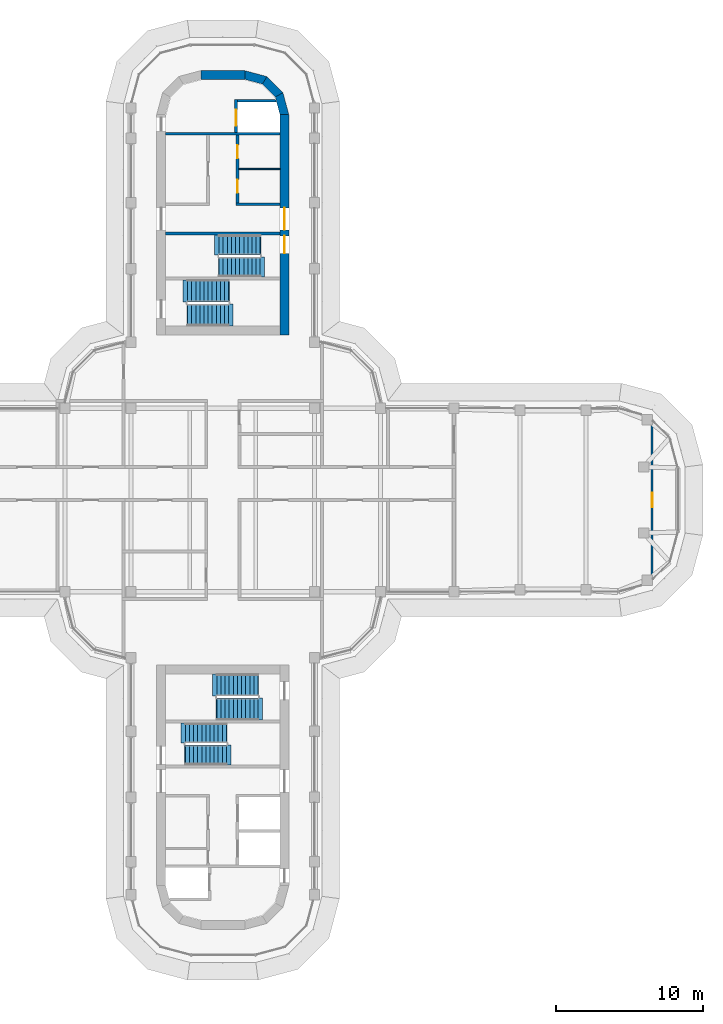
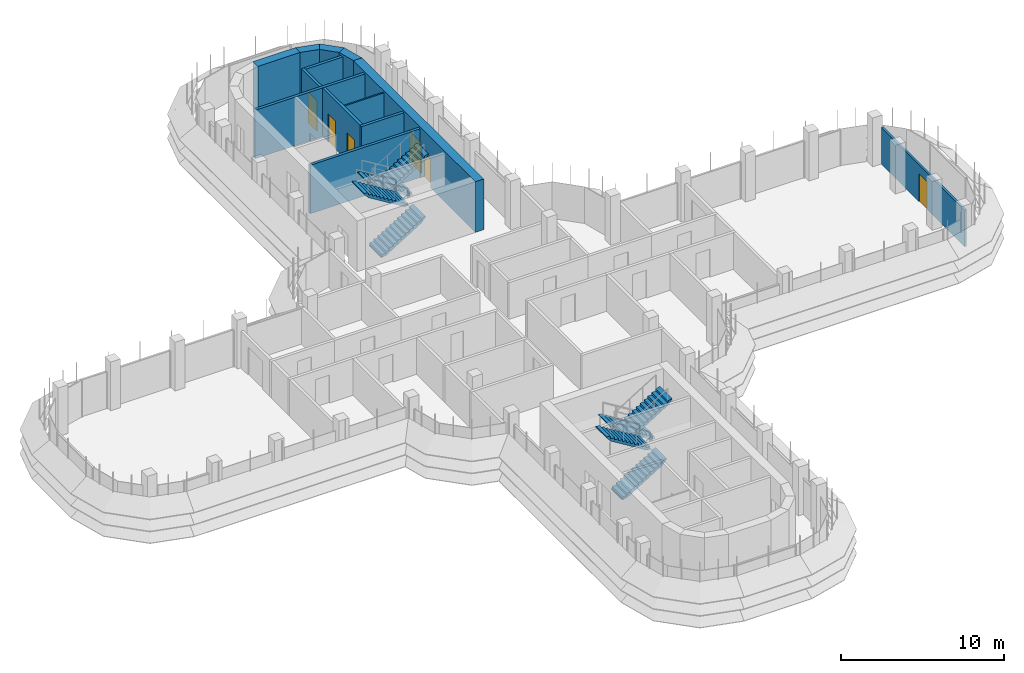
# One storey, part 15 of 18: 13 walls, 8 stair flights, 6 doors, 6 openings, 4 elements without a shape of their own.
"""IFC4 building model written with IfcOpenShell, lengths in metres."""

from ifc_helpers import new_model, si_unit, direction, frame, frame_2d, origin, place, context, subcontext, project, spatial, polyline, rectangle, outline, extrude, material, layer, layer_set, type_object, element, fill, aggregate, save


model = new_model("IFC4")

# Units and contexts
model_context = context("Model", 3, precision=1e-05, world=origin(), true_north=direction((0.0, 1.0)))
body_context = subcontext(model_context, "Body", "Model", "MODEL_VIEW")
ifc_project = project(units=[si_unit("LENGTHUNIT", "METRE"), si_unit("AREAUNIT", "SQUARE_METRE"), si_unit("VOLUMEUNIT", "CUBIC_METRE"), si_unit("PLANEANGLEUNIT", "RADIAN"), si_unit("MASSUNIT", "GRAM", prefix="KILO")], contexts=[model_context])

# Site, building, storey
site_placement = place(None, origin())
site = spatial("IfcSite", under=ifc_project, at=site_placement, CompositionType="ELEMENT")
building_placement = place(site_placement, origin())
building = spatial("IfcBuilding", under=site, at=building_placement, Name="Zarbagh Exchange Tower", CompositionType="ELEMENT")
storey_placement = place(building_placement, frame((0.0, 0.0, 206.800048828125)))
storey = spatial("IfcBuildingStorey", under=building, at=storey_placement, Name="L50", CompositionType="ELEMENT", Elevation=206.800048828125)

# Wall
ifc_material_1 = material(Name="Dense blockwork", Category="masonry")
ifc_layer_1 = layer(ifc_material_1, 0.10009765625)
ifc_layer_set_1 = layer_set([ifc_layer_1], Name="Core partition 100 mm blockwork")
wall_type_1 = type_object("IfcWallType", Name="Core partition 100 mm blockwork", PredefinedType="PARTITIONING", material=ifc_layer_set_1)
wall_1_placement = place(storey_placement, frame((1.10009765625, 22.550048828125, 0.0), z_axis=(0.0, 0.0, 1.0), x_axis=(1.0, 0.0, 0.0)))
element("IfcWall", 1, at=wall_1_placement, inside=storey, type_object=wall_type_1, Name="North core partition wall CUT-E-580", PredefinedType="PARTITIONING", context=body_context, shape_type="SweptSolid", body=[
    extrude(rectangle(XDim=2.7998046875, YDim=0.10009765625, at=frame_2d((1.39990234375, 0.0))), origin(), (0.0, 0.0, 1.0), 3.64990234375),
])

# Wall, opening, door
ifc_material_2 = material(Name="Plasterboard partition")
ifc_layer_2 = layer(ifc_material_2, 0.14990234375)
ifc_layer_set_2 = layer_set([ifc_layer_2], Name="PARTITION 150")
wall_type_2 = type_object("IfcWallType", Name="PARTITION 150", PredefinedType="PARTITIONING", material=ifc_layer_set_2)
wall_2_placement = place(storey_placement, frame((29.25, 5.125, 0.0), z_axis=(0.0, 0.0, 1.0), x_axis=(0.0, -1.0, 0.0)))
wall_2 = element("IfcWall", 2, at=wall_2_placement, inside=storey, type_object=wall_type_2, Name="Partition W-2244", PredefinedType="PARTITIONING", context=body_context, shape_type="SweptSolid", body=[
    extrude(rectangle(XDim=10.25, YDim=0.14990234375, at=frame_2d((5.125, 0.0))), origin(), (0.0, 0.0, 1.0), 2.75),
])
opening_1_placement = place(wall_2_placement, frame((4.625, 0.0, 0.0)))
opening_1 = element("IfcOpeningElement", 3, at=opening_1_placement, cuts=wall_2, Name="Opening D-2201", PredefinedType="OPENING", context=body_context, shape_type="SweptSolid", body=[
    extrude(rectangle(XDim=1.0, YDim=2.10009765625, at=frame_2d((0.5, 1.050048828125))), frame((0.0, 0.0849609375, 0.0), z_axis=(0.0, -1.0, 0.0), x_axis=(1.0, 0.0, 0.0)), (0.0, 0.0, 1.0), 0.169921875),
])
ifc_material_3 = material(Name="Timber door leaf", Category="wood")
door_type_1 = type_object("IfcDoorType", Name="DOOR 1000 X 2100", OperationType="NOTDEFINED", PredefinedType="DOOR", material=ifc_material_3)
door_1_placement = place(opening_1_placement, origin())
door_1 = element("IfcDoor", 4, at=door_1_placement, inside=storey, type_object=door_type_1, Name="Door D-2201", OperationType="SINGLE_SWING_RIGHT", OverallHeight=2.10009765625, OverallWidth=1.0, PredefinedType="DOOR", context=body_context, shape_type="SweptSolid", body=[
    extrude(rectangle(XDim=1.0, YDim=2.10009765625, at=frame_2d((0.5, 1.050048828125))), frame((0.0, 0.02490234375, 0.0), z_axis=(0.0, -1.0, 0.0), x_axis=(1.0, 0.0, 0.0)), (0.0, 0.0, 1.0), 0.050048828125),
])
fill(opening_1, door_1)

# Walls
ifc_material_4 = material(Name="Concrete C50/60", Category="concrete")
ifc_layer_3 = layer(ifc_material_4, 0.60009765625)
ifc_layer_set_3 = layer_set([ifc_layer_3], Name="RC core corner wall 600 C50/60")
wall_type_3 = type_object("IfcWallType", Name="RC core corner wall 600 C50/60", PredefinedType="SHEAR", material=ifc_layer_set_3)
wall_3_placement = place(storey_placement, origin())
element("IfcWall", 5, at=wall_3_placement, inside=storey, type_object=wall_type_3, Name="CW8 core N corner E", PredefinedType="SHEAR", context=body_context, shape_type="SweptSolid", body=[
    extrude(outline(polyline([(4.5, 26.25), (4.09814453125, 27.75), (3.57861328125, 27.449951171875), (3.89990234375, 26.25), (4.5, 26.25)])), origin(), (0.0, 0.0, 1.0), 3.800048828125),
])
wall_4_placement = place(storey_placement, origin())
element("IfcWall", 6, at=wall_4_placement, inside=storey, type_object=wall_type_3, Name="CW8 core N corner E", PredefinedType="SHEAR", context=body_context, shape_type="SweptSolid", body=[
    extrude(outline(polyline([(4.09814453125, 27.75), (3.0, 28.84814453125), (2.699951171875, 28.32861328125), (3.57861328125, 27.449951171875), (4.09814453125, 27.75)])), origin(), (0.0, 0.0, 1.0), 3.800048828125),
])
wall_5_placement = place(storey_placement, origin())
element("IfcWall", 7, at=wall_5_placement, inside=storey, type_object=wall_type_3, Name="CW8 core N corner E", PredefinedType="SHEAR", context=body_context, shape_type="SweptSolid", body=[
    extrude(outline(polyline([(3.0, 28.84814453125), (1.5, 29.25), (1.5, 28.64990234375), (2.699951171875, 28.32861328125), (3.0, 28.84814453125)])), origin(), (0.0, 0.0, 1.0), 3.800048828125),
])

# Wall, openings, doors
ifc_layer_4 = layer(ifc_material_4, 0.60009765625)
ifc_layer_set_4 = layer_set([ifc_layer_4], Name="RC core wall 600 C50/60")
wall_type_4 = type_object("IfcWallType", Name="RC core wall 600 C50/60", PredefinedType="SHEAR", material=ifc_layer_set_4)
wall_6_placement = place(storey_placement, frame((4.199951171875, 11.25, 0.0), z_axis=(0.0, 0.0, 1.0), x_axis=(0.0, 1.0, 0.0)))
wall_6 = element("IfcWall", 8, at=wall_6_placement, inside=storey, type_object=wall_type_4, Name="CW7 core N E", PredefinedType="SHEAR", context=body_context, shape_type="SweptSolid", body=[
    extrude(rectangle(XDim=15.0, YDim=0.60009765625, at=frame_2d((7.5, 0.0))), origin(), (0.0, 0.0, 1.0), 3.800048828125),
])
opening_2_placement = place(wall_6_placement, frame((7.14990234375, 0.0, 0.0)))
opening_2 = element("IfcOpeningElement", 9, at=opening_2_placement, cuts=wall_6, Name="Opening CD1-1500", PredefinedType="OPENING", context=body_context, shape_type="SweptSolid", body=[
    extrude(rectangle(XDim=1.5, YDim=2.300048828125, at=frame_2d((0.75, 1.14990234375))), frame((0.0, 0.31005859375, 0.0), z_axis=(0.0, -1.0, 0.0), x_axis=(1.0, 0.0, 0.0)), (0.0, 0.0, 1.0), 0.6201171875),
])
opening_3_placement = place(wall_6_placement, frame((5.550048828125, 0.0, 0.0)))
opening_3 = element("IfcOpeningElement", 10, at=opening_3_placement, cuts=wall_6, Name="Opening SD1-1200", PredefinedType="OPENING", context=body_context, shape_type="SweptSolid", body=[
    extrude(rectangle(XDim=1.199951171875, YDim=2.10009765625, at=frame_2d((0.60009765625, 1.050048828125))), frame((0.0, 0.31005859375, 0.0), z_axis=(0.0, -1.0, 0.0), x_axis=(1.0, 0.0, 0.0)), (0.0, 0.0, 1.0), 0.6201171875),
])
ifc_material_5 = material(Name="Steel", Category="steel")
door_type_2 = type_object("IfcDoorType", Name="Exit stair door 1200 x 2100", OperationType="NOTDEFINED", PredefinedType="DOOR", material=ifc_material_5)
door_2_placement = place(opening_3_placement, origin())
door_2 = element("IfcDoor", 11, at=door_2_placement, inside=storey, type_object=door_type_2, Name="North core stair door ST1", OperationType="SINGLE_SWING_RIGHT", OverallHeight=2.10009765625, OverallWidth=1.199951171875, PredefinedType="DOOR", context=body_context, shape_type="SweptSolid", body=[
    extrude(rectangle(XDim=1.199951171875, YDim=2.10009765625, at=frame_2d((0.60009765625, 1.050048828125))), frame((0.0, 0.02490234375, 0.0), z_axis=(0.0, -1.0, 0.0), x_axis=(1.0, 0.0, 0.0)), (0.0, 0.0, 1.0), 0.050048828125),
])
fill(opening_3, door_2)
door_type_3 = type_object("IfcDoorType", Name="Lift lobby double door 1500 x 2300", OperationType="NOTDEFINED", PredefinedType="DOOR", material=ifc_material_5)
door_3_placement = place(opening_2_placement, origin())
door_3 = element("IfcDoor", 12, at=door_3_placement, inside=storey, type_object=door_type_3, Name="North core lift lobby door LOBBY-E", OperationType="DOUBLE_DOOR_SINGLE_SWING", OverallHeight=2.300048828125, OverallWidth=1.5, PredefinedType="DOOR", context=body_context, shape_type="SweptSolid", body=[
    extrude(rectangle(XDim=1.5, YDim=2.300048828125, at=frame_2d((0.75, 1.14990234375))), frame((0.0, 0.02490234375, 0.0), z_axis=(0.0, -1.0, 0.0), x_axis=(1.0, 0.0, 0.0)), (0.0, 0.0, 1.0), 0.050048828125),
])
fill(opening_2, door_3)

# Walls
wall_7_placement = place(storey_placement, frame((-1.5, 28.949951171875, 0.0), z_axis=(0.0, 0.0, 1.0), x_axis=(1.0, 0.0, 0.0)))
element("IfcWall", 13, at=wall_7_placement, inside=storey, type_object=wall_type_4, Name="CW7 core N outer end", PredefinedType="SHEAR", context=body_context, shape_type="SweptSolid", body=[
    extrude(rectangle(XDim=3.0, YDim=0.60009765625, at=frame_2d((1.5, 0.0))), origin(), (0.0, 0.0, 1.0), 3.800048828125),
])
ifc_layer_5 = layer(ifc_material_1, 0.199951171875)
ifc_layer_set_5 = layer_set([ifc_layer_5], Name="Shaft wall 200 mm blockwork")
wall_type_5 = type_object("IfcWallType", Name="Shaft wall 200 mm blockwork", PredefinedType="PARTITIONING", material=ifc_layer_set_5)
wall_8_placement = place(storey_placement, frame((0.89990234375, 20.14990234375, 0.0), z_axis=(0.0, 0.0, 1.0), x_axis=(1.0, 0.0, 0.0)))
element("IfcWall", 14, at=wall_8_placement, inside=storey, type_object=wall_type_5, Name="North core shaft wall AB-E", PredefinedType="PARTITIONING", context=body_context, shape_type="SweptSolid", body=[
    extrude(rectangle(XDim=3.0, YDim=0.199951171875, at=frame_2d((1.5, 0.0))), origin(), (0.0, 0.0, 1.0), 3.64990234375),
])

# Wall, openings, doors
wall_9_placement = place(storey_placement, frame((1.0, 24.85009765625, 0.0), z_axis=(0.0, 0.0, 1.0), x_axis=(0.0, -1.0, 0.0)))
wall_9 = element("IfcWall", 15, at=wall_9_placement, inside=storey, type_object=wall_type_5, Name="North core shaft wall LW-E", PredefinedType="PARTITIONING", context=body_context, shape_type="SweptSolid", body=[
    extrude(rectangle(XDim=4.60009765625, YDim=0.199951171875, at=frame_2d((2.300048828125, 0.0))), origin(), (0.0, 0.0, 1.0), 3.64990234375),
])
opening_4_placement = place(wall_9_placement, frame((0.675048828125, 0.0, 0.0)))
opening_4 = element("IfcOpeningElement", 16, at=opening_4_placement, cuts=wall_9, Name="Opening CD3-900", PredefinedType="OPENING", context=body_context, shape_type="SweptSolid", body=[
    extrude(rectangle(XDim=0.89990234375, YDim=2.10009765625, at=frame_2d((0.449951171875, 1.050048828125))), frame((0.0, 0.10986328125, 0.0), z_axis=(0.0, -1.0, 0.0), x_axis=(1.0, 0.0, 0.0)), (0.0, 0.0, 1.0), 0.219970703125),
])
opening_5_placement = place(wall_9_placement, frame((3.02490234375, 0.0, 0.0)))
opening_5 = element("IfcOpeningElement", 17, at=opening_5_placement, cuts=wall_9, Name="Opening CD3-900", PredefinedType="OPENING", context=body_context, shape_type="SweptSolid", body=[
    extrude(rectangle(XDim=0.89990234375, YDim=2.10009765625, at=frame_2d((0.449951171875, 1.050048828125))), frame((0.0, 0.10986328125, 0.0), z_axis=(0.0, -1.0, 0.0), x_axis=(1.0, 0.0, 0.0)), (0.0, 0.0, 1.0), 0.219970703125),
])
door_type_4 = type_object("IfcDoorType", Name="Core room door 900 x 2100", OperationType="NOTDEFINED", PredefinedType="DOOR", material=ifc_material_5)
door_4_placement = place(opening_4_placement, origin())
door_4 = element("IfcDoor", 18, at=door_4_placement, inside=storey, type_object=door_type_4, Name="North core Staff WC door RD-E-0", OperationType="SINGLE_SWING_RIGHT", OverallHeight=2.10009765625, OverallWidth=0.89990234375, PredefinedType="DOOR", context=body_context, shape_type="SweptSolid", body=[
    extrude(rectangle(XDim=0.89990234375, YDim=2.10009765625, at=frame_2d((0.449951171875, 1.050048828125))), frame((0.0, 0.02490234375, 0.0), z_axis=(0.0, -1.0, 0.0), x_axis=(1.0, 0.0, 0.0)), (0.0, 0.0, 1.0), 0.050048828125),
])
fill(opening_4, door_4)
door_5_placement = place(opening_5_placement, origin())
door_5 = element("IfcDoor", 19, at=door_5_placement, inside=storey, type_object=door_type_4, Name="North core Accessible WC door RD-E-1", OperationType="SINGLE_SWING_LEFT", OverallHeight=2.10009765625, OverallWidth=0.89990234375, PredefinedType="DOOR", context=body_context, shape_type="SweptSolid", body=[
    extrude(rectangle(XDim=0.89990234375, YDim=2.10009765625, at=frame_2d((0.449951171875, 1.050048828125))), frame((0.0, 0.02490234375, 0.0), z_axis=(0.0, -1.0, 0.0), x_axis=(1.0, 0.0, 0.0)), (0.0, 0.0, 1.0), 0.050048828125),
])
fill(opening_5, door_5)

# Wall
ifc_material_6 = material(Name="Concrete C40/50", Category="concrete")
ifc_layer_6 = layer(ifc_material_6, 0.199951171875)
ifc_layer_set_6 = layer_set([ifc_layer_6], Name="Stair enclosure wall 200 mm RC C40/50")
wall_type_6 = type_object("IfcWallType", Name="Stair enclosure wall 200 mm RC C40/50", PredefinedType="SHEAR", material=ifc_layer_set_6)
wall_10_placement = place(storey_placement, frame((-3.89990234375, 24.949951171875, 0.0), z_axis=(0.0, 0.0, 1.0), x_axis=(1.0, 0.0, 0.0)))
element("IfcWall", 20, at=wall_10_placement, inside=storey, type_object=wall_type_6, Name="North core lift shaft wall FFA", PredefinedType="SHEAR", context=body_context, shape_type="SweptSolid", body=[
    extrude(rectangle(XDim=7.7998046875, YDim=0.199951171875, at=frame_2d((3.89990234375, 0.0))), origin(), (0.0, 0.0, 1.0), 3.64990234375),
])

# Wall, opening, door
wall_11_placement = place(storey_placement, frame((0.89990234375, 27.300048828125, 0.0), z_axis=(0.0, 0.0, 1.0), x_axis=(0.0, -1.0, 0.0)))
wall_11 = element("IfcWall", 21, at=wall_11_placement, inside=storey, type_object=wall_type_6, Name="North core lift shaft wall FFL", PredefinedType="SHEAR", context=body_context, shape_type="SweptSolid", body=[
    extrude(rectangle(XDim=2.25, YDim=0.199951171875, at=frame_2d((1.125, 0.0))), origin(), (0.0, 0.0, 1.0), 3.64990234375),
])
opening_6_placement = place(wall_11_placement, frame((0.699951171875, 0.0, 0.0)))
opening_6 = element("IfcOpeningElement", 22, at=opening_6_placement, cuts=wall_11, Name="Opening LD-1100", PredefinedType="OPENING", context=body_context, shape_type="SweptSolid", body=[
    extrude(rectangle(XDim=1.10009765625, YDim=2.300048828125, at=frame_2d((0.550048828125, 1.14990234375))), frame((0.0, 0.10986328125, 0.0), z_axis=(0.0, -1.0, 0.0), x_axis=(1.0, 0.0, 0.0)), (0.0, 0.0, 1.0), 0.219970703125),
])
ifc_material_7 = material(Name="Stainless steel", Category="steel")
door_type_5 = type_object("IfcDoorType", Name="Lift landing door 1100 x 2300", OperationType="NOTDEFINED", PredefinedType="DOOR", material=ifc_material_7)
door_6_placement = place(opening_6_placement, origin())
door_6 = element("IfcDoor", 23, at=door_6_placement, inside=storey, type_object=door_type_5, Name="North core lift landing door LD-F", OperationType="DOUBLE_DOOR_SLIDING", OverallHeight=2.300048828125, OverallWidth=1.10009765625, PredefinedType="DOOR", context=body_context, shape_type="SweptSolid", body=[
    extrude(rectangle(XDim=1.10009765625, YDim=2.300048828125, at=frame_2d((0.550048828125, 1.14990234375))), frame((0.0, 0.02490234375, 0.0), z_axis=(0.0, -1.0, 0.0), x_axis=(1.0, 0.0, 0.0)), (0.0, 0.0, 1.0), 0.050048828125),
])
fill(opening_6, door_6)

# Walls
wall_12_placement = place(storey_placement, origin())
element("IfcWall", 24, at=wall_12_placement, inside=storey, type_object=wall_type_6, Name="North core lift shaft wall FFX", PredefinedType="SHEAR", context=body_context, shape_type="SweptSolid", body=[
    extrude(outline(polyline([(1.0, 27.10009765625), (3.651123046875, 27.10009765625), (3.597412109375, 27.300048828125), (1.0, 27.300048828125), (1.0, 27.10009765625)])), origin(), (0.0, 0.0, 1.0), 3.64990234375),
])
wall_13_placement = place(storey_placement, frame((-3.89990234375, 18.14990234375, 0.0), z_axis=(0.0, 0.0, 1.0), x_axis=(1.0, 0.0, 0.0)))
element("IfcWall", 25, at=wall_13_placement, inside=storey, type_object=wall_type_6, Name="North core stair wall BS", PredefinedType="SHEAR", context=body_context, shape_type="SweptSolid", body=[
    extrude(rectangle(XDim=7.7998046875, YDim=0.199951171875, at=frame_2d((3.89990234375, 0.0))), origin(), (0.0, 0.0, 1.0), 3.64990234375),
])

# Stair, stair flights
stair_type = type_object("IfcStairType", Name="Exit stair two-flight half-turn", PredefinedType="HALF_TURN_STAIR", material=ifc_material_6)
stair_1_placement = place(storey_placement, origin())
stair_1 = element("IfcStair", 26, at=stair_1_placement, inside=storey, type_object=stair_type, Name="exit stair ST1", PredefinedType="HALF_TURN_STAIR")
stair_flight_type_1 = type_object("IfcStairFlightType", Name="Stair flight 1350 mm", PredefinedType="STRAIGHT", material=ifc_material_6)
stair_flight_1_placement = place(storey_placement, frame((2.550048828125, 17.375, 0.0), z_axis=(0.0, 0.0, 1.0), x_axis=(-1.0, 0.0, 0.0)))
stair_flight_1 = element("IfcStairFlight", 27, at=stair_flight_1_placement, type_object=stair_flight_type_1, Name="ST1 flight 1", NumberOfRisers=11, NumberOfTreads=10, PredefinedType="STRAIGHT", RiserHeight=0.172727273, TreadLength=0.28, context=body_context, shape_type="SweptSolid", body=[
    extrude(outline(polyline([(-0.050048828125, -0.050048828125), (-0.050048828125, 0.0), (0.0, 0.0), (0.0, 0.172607421875), (0.280029296875, 0.172607421875), (0.280029296875, 0.345458984375), (0.56005859375, 0.345458984375), (0.56005859375, 0.51806640625), (0.840087890625, 0.51806640625), (0.840087890625, 0.69091796875), (1.1201171875, 0.69091796875), (1.1201171875, 0.863525390625), (1.39990234375, 0.863525390625), (1.39990234375, 1.036376953125), (1.679931640625, 1.036376953125), (1.679931640625, 1.208984375), (1.9599609375, 1.208984375), (1.9599609375, 1.3818359375), (2.239990234375, 1.3818359375), (2.239990234375, 1.554443359375), (2.52001953125, 1.554443359375), (2.52001953125, 1.727294921875), (2.800048828125, 1.727294921875), (2.800048828125, 1.89990234375), (3.10009765625, 1.97998046875), (3.10009765625, 1.89990234375), (2.800048828125, 1.551025390625), (0.285400390625, 0.0), (-0.050048828125, -0.050048828125)])), frame((0.0, 0.675048828125, 0.0), z_axis=(0.0, -1.0, 0.0), x_axis=(1.0, 0.0, 0.0)), (0.0, 0.0, 1.0), 1.35009765625),
])
stair_flight_2_placement = place(storey_placement, frame((-0.25, 15.875, 1.89990234375), z_axis=(0.0, 0.0, 1.0), x_axis=(1.0, 0.0, 0.0)))
stair_flight_2 = element("IfcStairFlight", 28, at=stair_flight_2_placement, type_object=stair_flight_type_1, Name="ST1 flight 2", NumberOfRisers=11, NumberOfTreads=10, PredefinedType="STRAIGHT", RiserHeight=0.172727273, TreadLength=0.28, context=body_context, shape_type="SweptSolid", body=[
    extrude(outline(polyline([(-0.050048828125, -0.050048828125), (-0.050048828125, 0.0), (0.0, 0.0), (0.0, 0.172607421875), (0.280029296875, 0.172607421875), (0.280029296875, 0.345458984375), (0.56005859375, 0.345458984375), (0.56005859375, 0.51806640625), (0.840087890625, 0.51806640625), (0.840087890625, 0.69091796875), (1.1201171875, 0.69091796875), (1.1201171875, 0.863525390625), (1.39990234375, 0.863525390625), (1.39990234375, 1.036376953125), (1.679931640625, 1.036376953125), (1.679931640625, 1.208984375), (1.9599609375, 1.208984375), (1.9599609375, 1.3818359375), (2.239990234375, 1.3818359375), (2.239990234375, 1.554443359375), (2.52001953125, 1.554443359375), (2.52001953125, 1.727294921875), (2.800048828125, 1.727294921875), (2.800048828125, 1.89990234375), (3.10009765625, 1.97998046875), (3.10009765625, 1.89990234375), (2.800048828125, 1.551025390625), (0.285400390625, 0.0), (-0.050048828125, -0.050048828125)])), frame((0.0, 0.675048828125, 0.0), z_axis=(0.0, -1.0, 0.0), x_axis=(1.0, 0.0, 0.0)), (0.0, 0.0, 1.0), 1.35009765625),
])
aggregate(stair_1, [stair_flight_1, stair_flight_2])

stair_2_placement = place(storey_placement, origin())
stair_2 = element("IfcStair", 29, at=stair_2_placement, inside=storey, type_object=stair_type, Name="exit stair ST3", PredefinedType="HALF_TURN_STAIR")
stair_flight_3_placement = place(storey_placement, frame((-2.550048828125, -17.375, 0.0), z_axis=(0.0, 0.0, 1.0), x_axis=(1.0, 0.0, 0.0)))
stair_flight_3 = element("IfcStairFlight", 30, at=stair_flight_3_placement, type_object=stair_flight_type_1, Name="ST3 flight 1", NumberOfRisers=11, NumberOfTreads=10, PredefinedType="STRAIGHT", RiserHeight=0.172727273, TreadLength=0.28, context=body_context, shape_type="SweptSolid", body=[
    extrude(outline(polyline([(-0.050048828125, -0.050048828125), (-0.050048828125, 0.0), (0.0, 0.0), (0.0, 0.172607421875), (0.280029296875, 0.172607421875), (0.280029296875, 0.345458984375), (0.56005859375, 0.345458984375), (0.56005859375, 0.51806640625), (0.840087890625, 0.51806640625), (0.840087890625, 0.69091796875), (1.1201171875, 0.69091796875), (1.1201171875, 0.863525390625), (1.39990234375, 0.863525390625), (1.39990234375, 1.036376953125), (1.679931640625, 1.036376953125), (1.679931640625, 1.208984375), (1.9599609375, 1.208984375), (1.9599609375, 1.3818359375), (2.239990234375, 1.3818359375), (2.239990234375, 1.554443359375), (2.52001953125, 1.554443359375), (2.52001953125, 1.727294921875), (2.800048828125, 1.727294921875), (2.800048828125, 1.89990234375), (3.10009765625, 1.97998046875), (3.10009765625, 1.89990234375), (2.800048828125, 1.551025390625), (0.285400390625, 0.0), (-0.050048828125, -0.050048828125)])), frame((0.0, 0.675048828125, 0.0), z_axis=(0.0, -1.0, 0.0), x_axis=(1.0, 0.0, 0.0)), (0.0, 0.0, 1.0), 1.35009765625),
])
stair_flight_4_placement = place(storey_placement, frame((0.25, -15.875, 1.89990234375), z_axis=(0.0, 0.0, 1.0), x_axis=(-1.0, 0.0, 0.0)))
stair_flight_4 = element("IfcStairFlight", 31, at=stair_flight_4_placement, type_object=stair_flight_type_1, Name="ST3 flight 2", NumberOfRisers=11, NumberOfTreads=10, PredefinedType="STRAIGHT", RiserHeight=0.172727273, TreadLength=0.28, context=body_context, shape_type="SweptSolid", body=[
    extrude(outline(polyline([(-0.050048828125, -0.050048828125), (-0.050048828125, 0.0), (0.0, 0.0), (0.0, 0.172607421875), (0.280029296875, 0.172607421875), (0.280029296875, 0.345458984375), (0.56005859375, 0.345458984375), (0.56005859375, 0.51806640625), (0.840087890625, 0.51806640625), (0.840087890625, 0.69091796875), (1.1201171875, 0.69091796875), (1.1201171875, 0.863525390625), (1.39990234375, 0.863525390625), (1.39990234375, 1.036376953125), (1.679931640625, 1.036376953125), (1.679931640625, 1.208984375), (1.9599609375, 1.208984375), (1.9599609375, 1.3818359375), (2.239990234375, 1.3818359375), (2.239990234375, 1.554443359375), (2.52001953125, 1.554443359375), (2.52001953125, 1.727294921875), (2.800048828125, 1.727294921875), (2.800048828125, 1.89990234375), (3.10009765625, 1.97998046875), (3.10009765625, 1.89990234375), (2.800048828125, 1.551025390625), (0.285400390625, 0.0), (-0.050048828125, -0.050048828125)])), frame((0.0, 0.675048828125, 0.0), z_axis=(0.0, -1.0, 0.0), x_axis=(1.0, 0.0, 0.0)), (0.0, 0.0, 1.0), 1.35009765625),
])
aggregate(stair_2, [stair_flight_3, stair_flight_4])

stair_3_placement = place(storey_placement, origin())
stair_3 = element("IfcStair", 32, at=stair_3_placement, inside=storey, type_object=stair_type, Name="exit stair ST2", PredefinedType="HALF_TURN_STAIR")
stair_flight_type_2 = type_object("IfcStairFlightType", Name="Stair flight 1500 mm", PredefinedType="STRAIGHT", material=ifc_material_6)
stair_flight_5_placement = place(storey_placement, frame((-2.39990234375, 12.60009765625, 0.0), z_axis=(0.0, 0.0, 1.0), x_axis=(1.0, 0.0, 0.0)))
stair_flight_5 = element("IfcStairFlight", 33, at=stair_flight_5_placement, type_object=stair_flight_type_2, Name="ST2 flight 1", NumberOfRisers=11, NumberOfTreads=10, PredefinedType="STRAIGHT", RiserHeight=0.172727273, TreadLength=0.28, context=body_context, shape_type="SweptSolid", body=[
    extrude(outline(polyline([(-0.050048828125, -0.050048828125), (-0.050048828125, 0.0), (0.0, 0.0), (0.0, 0.172607421875), (0.280029296875, 0.172607421875), (0.280029296875, 0.345458984375), (0.56005859375, 0.345458984375), (0.56005859375, 0.51806640625), (0.840087890625, 0.51806640625), (0.840087890625, 0.69091796875), (1.1201171875, 0.69091796875), (1.1201171875, 0.863525390625), (1.39990234375, 0.863525390625), (1.39990234375, 1.036376953125), (1.679931640625, 1.036376953125), (1.679931640625, 1.208984375), (1.9599609375, 1.208984375), (1.9599609375, 1.3818359375), (2.239990234375, 1.3818359375), (2.239990234375, 1.554443359375), (2.52001953125, 1.554443359375), (2.52001953125, 1.727294921875), (2.800048828125, 1.727294921875), (2.800048828125, 1.89990234375), (3.10009765625, 1.97998046875), (3.10009765625, 1.89990234375), (2.800048828125, 1.551025390625), (0.285400390625, 0.0), (-0.050048828125, -0.050048828125)])), frame((0.0, 0.75, 0.0), z_axis=(0.0, -1.0, 0.0), x_axis=(1.0, 0.0, 0.0)), (0.0, 0.0, 1.0), 1.5),
])
stair_flight_6_placement = place(storey_placement, frame((0.39990234375, 14.25, 1.89990234375), z_axis=(0.0, 0.0, 1.0), x_axis=(-1.0, 0.0, 0.0)))
stair_flight_6 = element("IfcStairFlight", 34, at=stair_flight_6_placement, type_object=stair_flight_type_2, Name="ST2 flight 2", NumberOfRisers=11, NumberOfTreads=10, PredefinedType="STRAIGHT", RiserHeight=0.172727273, TreadLength=0.28, context=body_context, shape_type="SweptSolid", body=[
    extrude(outline(polyline([(-0.050048828125, -0.050048828125), (-0.050048828125, 0.0), (0.0, 0.0), (0.0, 0.172607421875), (0.280029296875, 0.172607421875), (0.280029296875, 0.345458984375), (0.56005859375, 0.345458984375), (0.56005859375, 0.51806640625), (0.840087890625, 0.51806640625), (0.840087890625, 0.69091796875), (1.1201171875, 0.69091796875), (1.1201171875, 0.863525390625), (1.39990234375, 0.863525390625), (1.39990234375, 1.036376953125), (1.679931640625, 1.036376953125), (1.679931640625, 1.208984375), (1.9599609375, 1.208984375), (1.9599609375, 1.3818359375), (2.239990234375, 1.3818359375), (2.239990234375, 1.554443359375), (2.52001953125, 1.554443359375), (2.52001953125, 1.727294921875), (2.800048828125, 1.727294921875), (2.800048828125, 1.89990234375), (3.10009765625, 1.97998046875), (3.10009765625, 1.89990234375), (2.800048828125, 1.551025390625), (0.285400390625, 0.0), (-0.050048828125, -0.050048828125)])), frame((0.0, 0.75, 0.0), z_axis=(0.0, -1.0, 0.0), x_axis=(1.0, 0.0, 0.0)), (0.0, 0.0, 1.0), 1.5),
])
aggregate(stair_3, [stair_flight_5, stair_flight_6])

stair_4_placement = place(storey_placement, origin())
stair_4 = element("IfcStair", 35, at=stair_4_placement, inside=storey, type_object=stair_type, Name="exit stair ST4", PredefinedType="HALF_TURN_STAIR")
stair_flight_7_placement = place(storey_placement, frame((2.39990234375, -12.60009765625, 0.0), z_axis=(0.0, 0.0, 1.0), x_axis=(-1.0, 0.0, 0.0)))
stair_flight_7 = element("IfcStairFlight", 36, at=stair_flight_7_placement, type_object=stair_flight_type_2, Name="ST4 flight 1", NumberOfRisers=11, NumberOfTreads=10, PredefinedType="STRAIGHT", RiserHeight=0.172727273, TreadLength=0.28, context=body_context, shape_type="SweptSolid", body=[
    extrude(outline(polyline([(-0.050048828125, -0.050048828125), (-0.050048828125, 0.0), (0.0, 0.0), (0.0, 0.172607421875), (0.280029296875, 0.172607421875), (0.280029296875, 0.345458984375), (0.56005859375, 0.345458984375), (0.56005859375, 0.51806640625), (0.840087890625, 0.51806640625), (0.840087890625, 0.69091796875), (1.1201171875, 0.69091796875), (1.1201171875, 0.863525390625), (1.39990234375, 0.863525390625), (1.39990234375, 1.036376953125), (1.679931640625, 1.036376953125), (1.679931640625, 1.208984375), (1.9599609375, 1.208984375), (1.9599609375, 1.3818359375), (2.239990234375, 1.3818359375), (2.239990234375, 1.554443359375), (2.52001953125, 1.554443359375), (2.52001953125, 1.727294921875), (2.800048828125, 1.727294921875), (2.800048828125, 1.89990234375), (3.10009765625, 1.97998046875), (3.10009765625, 1.89990234375), (2.800048828125, 1.551025390625), (0.285400390625, 0.0), (-0.050048828125, -0.050048828125)])), frame((0.0, 0.75, 0.0), z_axis=(0.0, -1.0, 0.0), x_axis=(1.0, 0.0, 0.0)), (0.0, 0.0, 1.0), 1.5),
])
stair_flight_8_placement = place(storey_placement, frame((-0.39990234375, -14.25, 1.89990234375), z_axis=(0.0, 0.0, 1.0), x_axis=(1.0, 0.0, 0.0)))
stair_flight_8 = element("IfcStairFlight", 37, at=stair_flight_8_placement, type_object=stair_flight_type_2, Name="ST4 flight 2", NumberOfRisers=11, NumberOfTreads=10, PredefinedType="STRAIGHT", RiserHeight=0.172727273, TreadLength=0.28, context=body_context, shape_type="SweptSolid", body=[
    extrude(outline(polyline([(-0.050048828125, -0.050048828125), (-0.050048828125, 0.0), (0.0, 0.0), (0.0, 0.172607421875), (0.280029296875, 0.172607421875), (0.280029296875, 0.345458984375), (0.56005859375, 0.345458984375), (0.56005859375, 0.51806640625), (0.840087890625, 0.51806640625), (0.840087890625, 0.69091796875), (1.1201171875, 0.69091796875), (1.1201171875, 0.863525390625), (1.39990234375, 0.863525390625), (1.39990234375, 1.036376953125), (1.679931640625, 1.036376953125), (1.679931640625, 1.208984375), (1.9599609375, 1.208984375), (1.9599609375, 1.3818359375), (2.239990234375, 1.3818359375), (2.239990234375, 1.554443359375), (2.52001953125, 1.554443359375), (2.52001953125, 1.727294921875), (2.800048828125, 1.727294921875), (2.800048828125, 1.89990234375), (3.10009765625, 1.97998046875), (3.10009765625, 1.89990234375), (2.800048828125, 1.551025390625), (0.285400390625, 0.0), (-0.050048828125, -0.050048828125)])), frame((0.0, 0.75, 0.0), z_axis=(0.0, -1.0, 0.0), x_axis=(1.0, 0.0, 0.0)), (0.0, 0.0, 1.0), 1.5),
])
aggregate(stair_4, [stair_flight_7, stair_flight_8])

save(model, "model.ifc")
